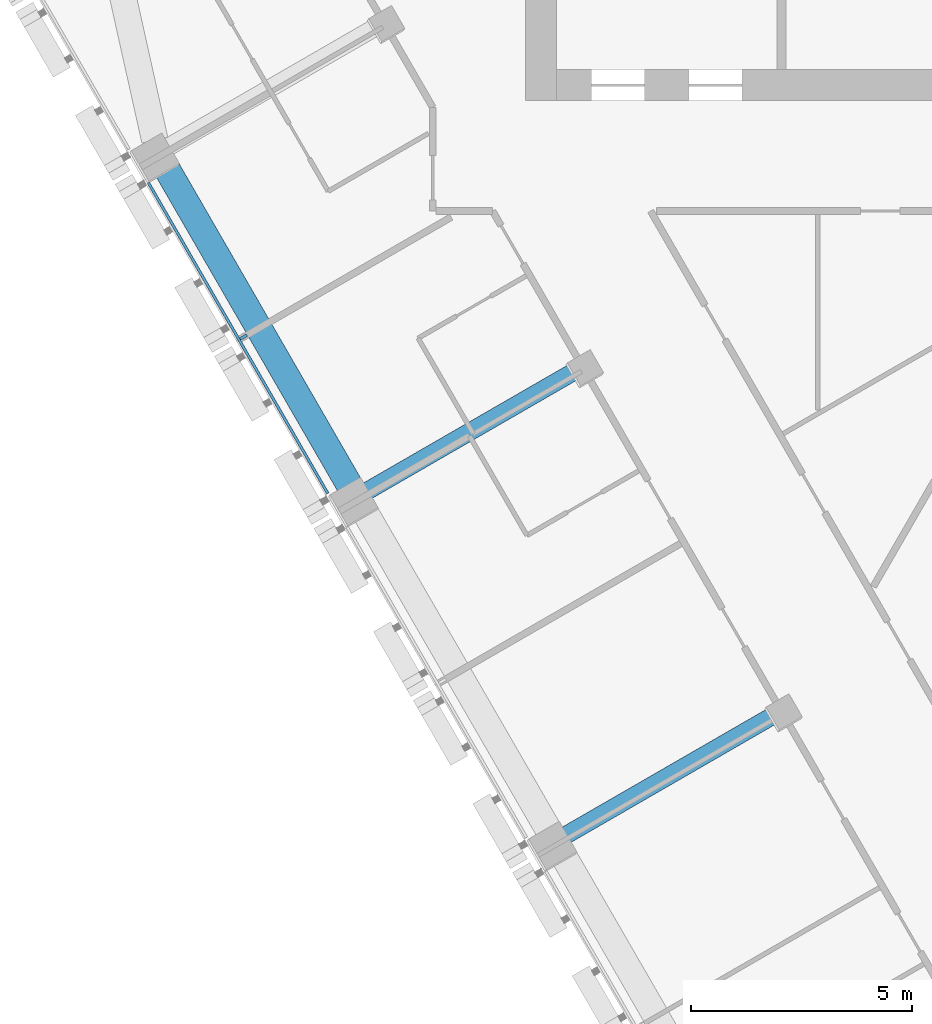
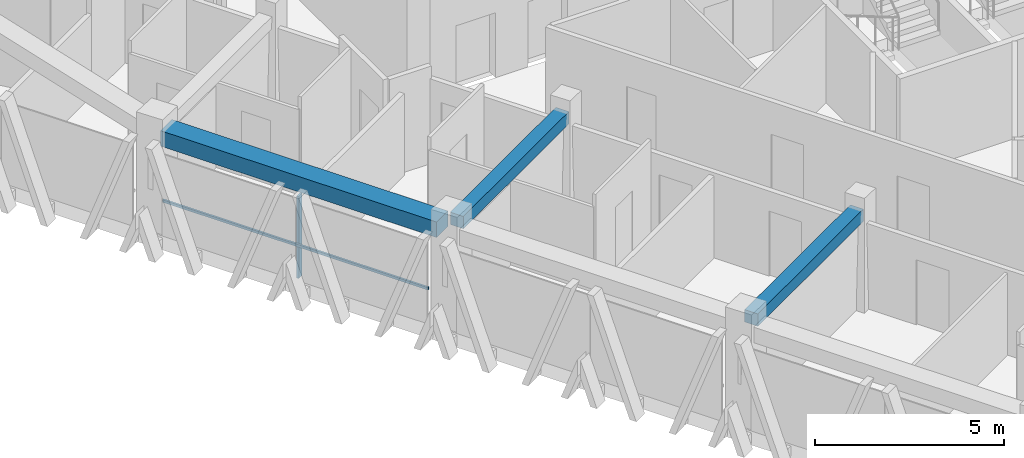
# One storey, part 3 of 16: 3 beams, 2 members, 1 element without a shape of its own.
"""IFC4 building model written with IfcOpenShell, lengths in metres."""

import ifcopenshell
import ifcopenshell.guid

model = None  # the IFC model being written
_history = None  # IfcOwnerHistory: only IFC2X3 demands one
_inside = {}  # id of a spatial element -> (the spatial element, [elements in it])
_under = {}  # id of a project, library or spatial element -> (it, [spatial elements below it])
_declared = {}  # id of a project -> (the project, [libraries it declares])
_typed = {}  # id of a type object -> (the type object, [elements of that type])
_made_of = {}  # id of a material, layer set ... -> (it, [elements and type objects made of it])


def new_model(schema):
    """Start an empty IFC model of exactly this schema.

    Asked for "IFC4X3", IfcOpenShell would pick the latest addendum, in which some entities
    have other attributes; the version numbers below select the first issue.
    IFC2X3 requires an IfcOwnerHistory on every rooted entity: one is made here for all.
    """
    global model, _history
    if schema == "IFC4X3":
        model = ifcopenshell.file(schema_version=(4, 3, 0, 0))
    else:
        model = ifcopenshell.file(schema=schema)
    _inside.clear()
    _under.clear()
    _declared.clear()
    _typed.clear()
    _made_of.clear()
    _history = None
    if model.schema == "IFC2X3":
        org = make("IfcOrganization", Name="unknown")
        user = make(
            "IfcPersonAndOrganization",
            ThePerson=make("IfcPerson", FamilyName="unknown"),
            TheOrganization=org,
        )
        app = make(
            "IfcApplication",
            ApplicationDeveloper=org,
            Version="unknown",
            ApplicationFullName="unknown",
            ApplicationIdentifier="unknown",
        )
        _history = make(
            "IfcOwnerHistory",
            OwningUser=user,
            OwningApplication=app,
            ChangeAction="ADDED",
            CreationDate=0,
        )
    return model


def make(cls, **values):
    """One entity of the class cls with the attributes given. An attribute that is None is left unset."""
    return model.create_entity(
        cls, **{name: value for name, value in values.items() if value is not None}
    )


def rooted(cls, **values):
    """An entity with a GlobalId (a new one), such as an element, a storey or a relation."""
    return make(cls, GlobalId=ifcopenshell.guid.new(), OwnerHistory=_history, **values)


def si_unit(unit_type, name, prefix=None):
    """IfcSIUnit, for example si_unit("LENGTHUNIT", "METRE", prefix="MILLI")."""
    return make("IfcSIUnit", UnitType=unit_type, Prefix=prefix, Name=name)


def assignment(units):
    """IfcUnitAssignment: the units of a project."""
    return None if units is None else make("IfcUnitAssignment", Units=units)


def point(xyz):
    """IfcCartesianPoint."""
    return None if xyz is None else make("IfcCartesianPoint", Coordinates=xyz)


def direction(xyz):
    """IfcDirection."""
    return None if xyz is None else make("IfcDirection", DirectionRatios=xyz)


def frame(location, z_axis=None, x_axis=None):
    """IfcAxis2Placement3D, a coordinate frame: its origin and axes. An axis left out is left unset."""
    return make(
        "IfcAxis2Placement3D",
        Location=point(location),
        Axis=direction(z_axis),
        RefDirection=direction(x_axis),
    )


def frame_2d(location, x_axis=None):
    """IfcAxis2Placement2D, a coordinate frame in the plane: its origin and x axis."""
    return make(
        "IfcAxis2Placement2D", Location=point(location), RefDirection=direction(x_axis)
    )


def origin():
    """The frame at (0, 0, 0) with its axes left unset."""
    return frame((0.0, 0.0, 0.0))


def origin_2d():
    """The frame at (0, 0) in the plane with its x axis left unset."""
    return frame_2d((0.0, 0.0))


def place(relative_to, where):
    """IfcLocalPlacement: puts the frame where relative to a parent placement (None: the world)."""
    return make(
        "IfcLocalPlacement", PlacementRelTo=relative_to, RelativePlacement=where
    )


def context(
    kind, dimensions, precision=None, world=None, true_north=None, identifier=None
):
    """IfcGeometricRepresentationContext, for example the 3D "Model" context."""
    return make(
        "IfcGeometricRepresentationContext",
        ContextIdentifier=identifier,
        ContextType=kind,
        CoordinateSpaceDimension=dimensions,
        Precision=precision,
        WorldCoordinateSystem=world,
        TrueNorth=true_north,
    )


def subcontext(parent, identifier, kind, view, scale=None):
    """IfcGeometricRepresentationSubContext, for example "Body" below "Model"."""
    return make(
        "IfcGeometricRepresentationSubContext",
        ContextIdentifier=identifier,
        ContextType=kind,
        ParentContext=parent,
        TargetScale=scale,
        TargetView=view,
    )


def project(units=None, contexts=None):
    """IfcProject with its units and contexts."""
    return rooted(
        "IfcProject",
        Name="project",
        RepresentationContexts=contexts,
        UnitsInContext=assignment(units),
    )


def spatial(cls, under=None, at=None, **own):
    """A site, building, storey or space (cls), placed at a placement, below another one or the project."""
    s = rooted(cls, ObjectPlacement=at, **own)
    if under is not None:
        _under.setdefault(under.id(), (under, []))[1].append(s)
    return s


def profile(cls, at=None, kind="AREA", **sizes):
    """A parametric profile (cls). Its sizes go by their IFC names, for example OverallWidth=200.0."""
    return make(cls, ProfileType=kind, Position=at, **sizes)


def rectangle(**sizes):
    """IfcRectangleProfileDef."""
    return profile("IfcRectangleProfileDef", **sizes)


def extrude(swept, where, along, depth):
    """IfcExtrudedAreaSolid: the profile swept, set in the frame where, extruded along a direction by depth."""
    return make(
        "IfcExtrudedAreaSolid",
        SweptArea=swept,
        Position=where,
        ExtrudedDirection=direction(along),
        Depth=depth,
    )


def shape(context_of_items, identifier, shape_type, items):
    """IfcShapeRepresentation: the items that make up one representation, for example the "Body"."""
    return make(
        "IfcShapeRepresentation",
        ContextOfItems=context_of_items,
        RepresentationIdentifier=identifier,
        RepresentationType=shape_type,
        Items=items,
    )


def material(Name=None, Category=None):
    """IfcMaterial."""
    return make("IfcMaterial", Name=Name, Category=Category)


def layer(
    of_material, thickness, ventilated=None, Name=None, Category=None, Priority=None
):
    """IfcMaterialLayer: one layer of a wall or slab, of a material (None: an air gap)."""
    return make(
        "IfcMaterialLayer",
        Material=of_material,
        LayerThickness=thickness,
        IsVentilated=ventilated,
        Name=Name,
        Category=Category,
        Priority=Priority,
    )


def layer_set(layers, Name=None):
    """IfcMaterialLayerSet."""
    return make("IfcMaterialLayerSet", MaterialLayers=layers, LayerSetName=Name)


def material_profile(
    of_material, cross_section, Name=None, Category=None, Priority=None
):
    """IfcMaterialProfile: a cross section and its material."""
    return make(
        "IfcMaterialProfile",
        Name=Name,
        Material=of_material,
        Profile=cross_section,
        Priority=Priority,
        Category=Category,
    )


def profile_set(profiles, Name=None, composite=None):
    """IfcMaterialProfileSet."""
    return make(
        "IfcMaterialProfileSet",
        Name=Name,
        MaterialProfiles=profiles,
        CompositeProfile=composite,
    )


def made_of(thing, what):
    """Note that an element or type object is made of a material, layer set ...; save() writes the relation."""
    if what is not None:
        _made_of.setdefault(what.id(), (what, []))[1].append(thing)
    return thing


def type_object(cls, material=None, **own):
    """A type object (cls), such as IfcWallType, which elements share."""
    return made_of(rooted(cls, **own), material)


def element(
    cls,
    number,
    at=None,
    inside=None,
    cuts=None,
    type_object=None,
    material=None,
    context=None,
    identifier="Body",
    shape_type=None,
    held_by="IfcProductDefinitionShape",
    body=None,
    shapes=None,
    **own,
):
    """One element of the class cls, such as IfcWall. Its Tag is "e" and its number.

    at: its placement. inside: the storey or other place that contains it. cuts: it is an
    opening in that element (IfcRelVoidsElement). A single representation is given by context,
    identifier, shape_type and body (its items); several are given by shapes. held_by: the class
    of the entity that holds the representations. save() writes the other relations.
    """
    e = rooted(cls, Tag="e%d" % number, ObjectPlacement=at, **own)
    if body is not None:
        shapes = [shape(context, identifier, shape_type, body)]
    if shapes is not None:
        e.Representation = make(held_by, Representations=shapes)
    if inside is not None:
        _inside.setdefault(inside.id(), (inside, []))[1].append(e)
    if cuts is not None:
        rooted(
            "IfcRelVoidsElement", RelatingBuildingElement=cuts, RelatedOpeningElement=e
        )
    if type_object is not None:
        _typed.setdefault(type_object.id(), (type_object, []))[1].append(e)
    return made_of(e, material)


def aggregate(whole, parts):
    """IfcRelAggregates: a whole, such as a stair, and the parts it consists of."""
    return rooted("IfcRelAggregates", RelatingObject=whole, RelatedObjects=parts)


def save(model, path):
    """Write the relations noted so far, then the file.

    IfcRelAggregates (storeys below a building ...), IfcRelContainedInSpatialStructure (elements
    in a storey), IfcRelDefinesByType, IfcRelAssociatesMaterial and IfcRelDeclares: one each for
    every whole, place, type object, material and project.
    """
    for whole, parts in _under.values():
        aggregate(whole, parts)
    for where, things in _inside.values():
        rooted(
            "IfcRelContainedInSpatialStructure",
            RelatedElements=things,
            RelatingStructure=where,
        )
    for kind, things in _typed.values():
        rooted("IfcRelDefinesByType", RelatedObjects=things, RelatingType=kind)
    for what, things in _made_of.values():
        rooted("IfcRelAssociatesMaterial", RelatedObjects=things, RelatingMaterial=what)
    for by, libraries in _declared.values():
        rooted("IfcRelDeclares", RelatingContext=by, RelatedDefinitions=libraries)
    model.write(path)


model = new_model("IFC4")

# Units and contexts
model_context = context("Model", 3, precision=1e-05, world=origin(), true_north=direction((0.0, 1.0)))
body_context = subcontext(model_context, "Body", "Model", "MODEL_VIEW")
ifc_project = project(units=[si_unit("LENGTHUNIT", "METRE"), si_unit("AREAUNIT", "SQUARE_METRE"), si_unit("VOLUMEUNIT", "CUBIC_METRE"), si_unit("PLANEANGLEUNIT", "RADIAN"), si_unit("MASSUNIT", "GRAM", prefix="KILO")], contexts=[model_context])

# Site, building, storey
site_placement = place(None, origin())
site = spatial("IfcSite", under=ifc_project, at=site_placement, CompositionType="ELEMENT")
building_placement = place(site_placement, origin())
building = spatial("IfcBuilding", under=site, at=building_placement, Name="Altiplano Prism Tower", CompositionType="ELEMENT")
storey_placement = place(building_placement, frame((0.0, 0.0, 181.800048828125)))
storey = spatial("IfcBuildingStorey", under=building, at=storey_placement, Name="L47", CompositionType="ELEMENT", Elevation=181.800048828125)

# Curtain wall, members
ifc_material_1 = material(Name="Aluminium and glass", Category="aluminium")
ifc_layer = layer(ifc_material_1, 0.280029296875)
ifc_layer_set = layer_set([ifc_layer], Name="Aluminium and glass")
curtain_wall_type = type_object("IfcCurtainWallType", Name="CW1 typical co-living unitised curtain wall", PredefinedType="NOTDEFINED", material=ifc_layer_set)
curtain_wall_placement = place(storey_placement, origin())
curtain_wall = element("IfcCurtainWall", 1, at=curtain_wall_placement, inside=storey, type_object=curtain_wall_type, Name="CW1 curtain wall south-west face L47", PredefinedType="NOTDEFINED")
ifc_material_2 = material(Name="Aluminium", Category="aluminium")
ifc_material_profile_1 = material_profile(ifc_material_2, rectangle(XDim=0.179931640625, YDim=0.06494140625, at=origin_2d()), Name="CW1 mullion 65 x 180")
ifc_profile_set_1 = profile_set([ifc_material_profile_1], Name="Aluminium")
member_type_1 = type_object("IfcMemberType", Name="CW1 mullion 65 x 180", PredefinedType="MULLION", material=ifc_profile_set_1)
member_1_placement = place(storey_placement, frame((65.91748046875, 87.3466796875, 0.0), z_axis=(0.0, 0.0, 1.0), x_axis=(0.866025409055, 0.499999990871, 0.0)))
member_1 = element("IfcMember", 2, at=member_1_placement, type_object=member_type_1, Name="CW1 mullion", PredefinedType="MULLION", context=body_context, shape_type="SweptSolid", body=[
    extrude(rectangle(XDim=0.179931640625, YDim=0.06494140625, at=origin_2d()), origin(), (0.0, 0.0, 1.0), 2.64990234375),
])
ifc_material_profile_2 = material_profile(ifc_material_2, rectangle(XDim=0.06005859375, YDim=0.080078125, at=origin_2d()), Name="CW1 transom 80 x 60")
ifc_profile_set_2 = profile_set([ifc_material_profile_2], Name="Aluminium")
member_type_2 = type_object("IfcMemberType", Name="CW1 transom 80 x 60", PredefinedType="USERDEFINED", material=ifc_profile_set_2)
member_2_placement = place(storey_placement, frame((63.763916015625, 90.8369140625, 1.099853515625), z_axis=(0.50001308349, -0.866017849896, 0.0), x_axis=(0.866017849896, 0.50001308349, 0.0)))
member_2 = element("IfcMember", 3, at=member_2_placement, type_object=member_type_2, Name="CW1 transom", ObjectType="TRANSOM", PredefinedType="USERDEFINED", context=body_context, shape_type="SweptSolid", body=[
    extrude(rectangle(XDim=0.06005859375, YDim=0.080078125, at=origin_2d()), origin(), (0.0, 0.0, 1.0), 8.119873046875),
])
aggregate(curtain_wall, [member_1, member_2])

# Beams
ifc_material_3 = material(Name="Concrete C60/75", Category="concrete")
ifc_material_profile_3 = material_profile(ifc_material_3, rectangle(XDim=0.60009765625, YDim=0.5, at=origin_2d()), Name="Edge beam 600x500")
ifc_profile_set_3 = profile_set([ifc_material_profile_3], Name="Concrete C60/75")
beam_type_1 = type_object("IfcBeamType", Name="Edge beam 600x500", PredefinedType="SPANDREL", material=ifc_profile_set_3)
beam_placement = place(storey_placement, frame((64.11279296875, 91.269775390625, 2.89990234375), z_axis=(0.500006240468, -0.866021800818, 0.0), x_axis=(0.866021800818, 0.500006240468, 0.0)))
element("IfcBeam", 4, at=beam_placement, inside=storey, type_object=beam_type_1, Name="Edge beam P11-P12 L48", PredefinedType="SPANDREL", context=body_context, shape_type="SweptSolid", body=[
    extrude(rectangle(XDim=0.60009765625, YDim=0.5, at=origin_2d()), origin(), (0.0, 0.0, 1.0), 8.43994140625),
])
ifc_material_profile_4 = material_profile(ifc_material_3, rectangle(XDim=0.39990234375, YDim=0.39990234375, at=origin_2d()), Name="Tie beam 400x400")
ifc_profile_set_4 = profile_set([ifc_material_profile_4], Name="Concrete C60/75")
beam_type_2 = type_object("IfcBeamType", Name="Tie beam 400x400", PredefinedType="BEAM", material=ifc_profile_set_4)
for number, where, z_axis, x_axis, name in (
    (5, (73.556396484375, 86.653076171875, 2.949951171875), (-0.866041588165, -0.499971966783, 0.0), (0.499971966783, -0.866041588165, 0.0), "Tie beam I12 L48"),
    (6, (78.056396484375, 78.85888671875, 2.949951171875), (-0.866041588165, -0.499971966783, 0.0), (0.499971966783, -0.866041588165, 0.0), "Tie beam I13 L48"),
):
    element("IfcBeam", number, at=place(storey_placement, frame(where, z_axis=z_axis, x_axis=x_axis)), inside=storey, type_object=beam_type_2, Name=name, PredefinedType="BEAM", context=body_context, shape_type="SweptSolid", body=[
        extrude(rectangle(XDim=0.39990234375, YDim=0.39990234375, at=origin_2d()), origin(), (0.0, 0.0, 1.0), 5.590087890625),
    ])

save(model, "model.ifc")
